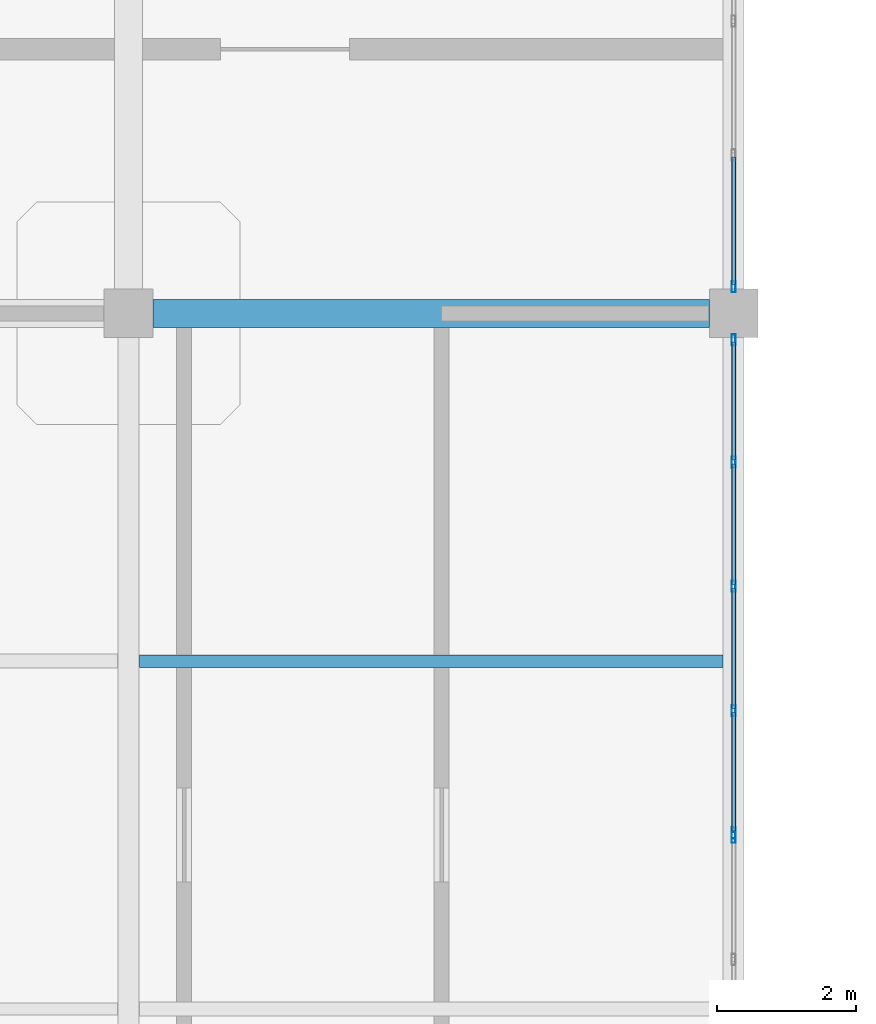
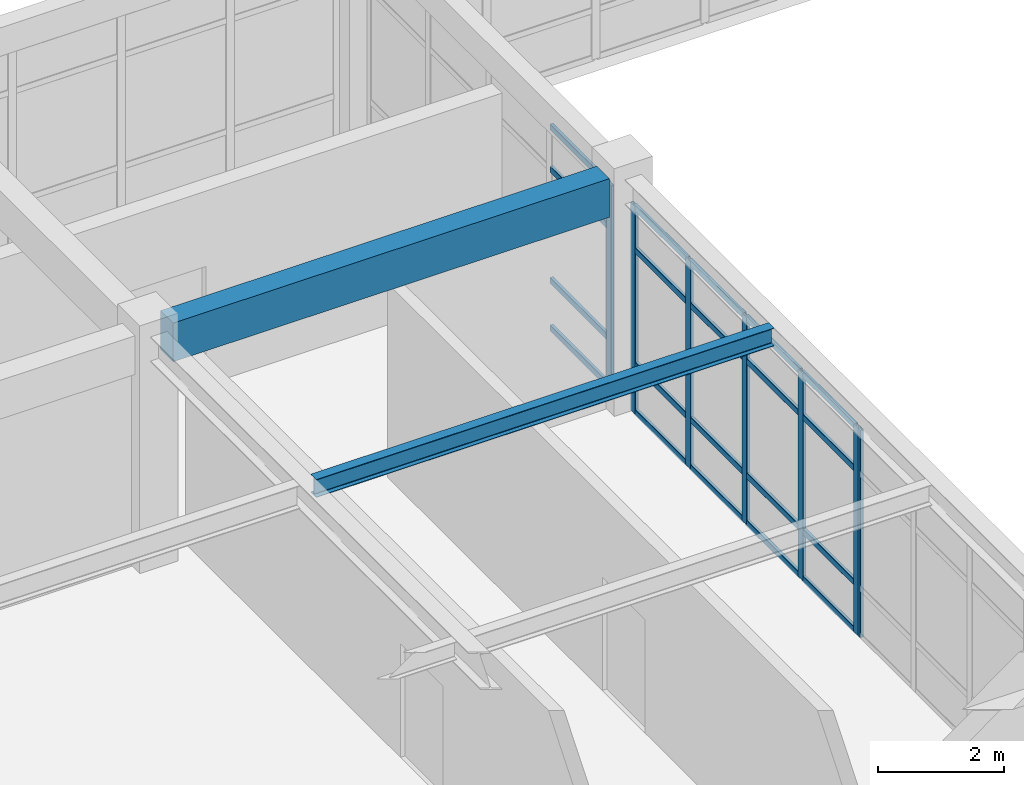
# One storey, part 31 of 76: 27 members, 2 beams, 3 elements without a shape of their own.
"""IFC4 building model written with IfcOpenShell, lengths in metres."""

from ifc_helpers import new_model, si_unit, derived_unit, direction, frame, origin, origin_2d, place, context, subcontext, project, spatial, rectangle, hollow_rectangle, i_section, extrude, material, layer, layer_set, material_profile, profile_set, type_object, element, aggregate, save


model = new_model("IFC4")

# Units and contexts
model_context = context("Model", 3, precision=1e-05, world=origin(), true_north=direction((0.0, 1.0)))
body_context = subcontext(model_context, "Body", "Model", "MODEL_VIEW")
ifc_project = project(units=[si_unit("LENGTHUNIT", "METRE"), si_unit("AREAUNIT", "SQUARE_METRE"), si_unit("VOLUMEUNIT", "CUBIC_METRE"), si_unit("PLANEANGLEUNIT", "RADIAN"), si_unit("MASSUNIT", "GRAM", prefix="KILO"), derived_unit("THERMALTRANSMITTANCEUNIT", [(si_unit("MASSUNIT", "GRAM", prefix="KILO"), 1), (si_unit("TIMEUNIT", "SECOND"), -3), (si_unit("THERMODYNAMICTEMPERATUREUNIT", "KELVIN"), -1)])], contexts=[model_context])

# Site, building, storey
site_placement = place(None, origin())
site = spatial("IfcSite", under=ifc_project, at=site_placement, CompositionType="ELEMENT")
building_placement = place(site_placement, origin())
building = spatial("IfcBuilding", under=site, at=building_placement, Name="Qinzheling Arcade Emporium", CompositionType="ELEMENT")
storey_placement = place(building_placement, frame((0.0, 0.0, 26.699951171875)))
storey = spatial("IfcBuildingStorey", under=building, at=storey_placement, Name="L06", CompositionType="ELEMENT", Elevation=26.699951171875)

# Beam
ifc_material_1 = material(Name="Structural steel Q355B", Category="steel")
ifc_material_profile_1 = material_profile(ifc_material_1, i_section(OverallWidth=0.175048828125, OverallDepth=0.35009765625, WebThickness=0.007080078125, FlangeThickness=0.010986328125, FilletRadius=0.013916015625, at=origin_2d()), Name="HN 350x175x7x11", Category="steel")
ifc_profile_set_1 = profile_set([ifc_material_profile_1], Name="Structural steel Q355B")
beam_type_1 = type_object("IfcBeamType", Name="Canopy Secondary Joist HN350 Q355B", PredefinedType="JOIST", material=ifc_profile_set_1)
beam_1_placement = place(storey_placement, frame((95.85498046875, 60.39990234375, 4.344970703125), z_axis=(1.0, 0.0, 0.0), x_axis=(0.0, 1.0, 0.0)))
element("IfcBeam", 1, at=beam_1_placement, inside=storey, type_object=beam_type_1, Name="Secondary Joist JST-L06-12-2", PredefinedType="JOIST", context=body_context, shape_type="SweptSolid", body=[
    extrude(i_section(OverallWidth=0.175048828125, OverallDepth=0.35009765625, WebThickness=0.007080078125, FlangeThickness=0.010986328125, FilletRadius=0.013916015625, at=origin_2d()), origin(), (0.0, 0.0, 1.0), 8.39013671875),
])

# Curtain wall, member
ifc_material_2 = material(Name="Anodised aluminium and solar-control double glazing", Category="aluminium")
ifc_layer = layer(ifc_material_2, 0.159912109375, Name="Anodised aluminium and solar-control double glazing", Category="aluminium")
ifc_layer_set = layer_set([ifc_layer], Name="Anodised aluminium and solar-control double glazing")
curtain_wall_type = type_object("IfcCurtainWallType", Name="Atrium Clerestory Curtain Wall", PredefinedType="NOTDEFINED", material=ifc_layer_set)
curtain_wall_1_placement = place(storey_placement, origin())
curtain_wall_1 = element("IfcCurtainWall", 2, at=curtain_wall_1_placement, inside=storey, type_object=curtain_wall_type, Name="Curtain Wall CW-L06-373", PredefinedType="NOTDEFINED")
ifc_material_3 = material(Name="Anodised aluminium 6063-T6", Category="aluminium")
ifc_material_profile_2 = material_profile(ifc_material_3, hollow_rectangle(XDim=0.06005859375, YDim=0.159912109375, WallThickness=0.00390625, InnerFilletRadius=0.00390625, OuterFilletRadius=0.008056640625, at=origin_2d()), Name="RHS 160x60x4", Category="aluminium")
ifc_profile_set_2 = profile_set([ifc_material_profile_2], Name="Anodised aluminium 6063-T6")
member_type_1 = type_object("IfcMemberType", Name="Curtain Wall Mullion RHS160x60", PredefinedType="MULLION", material=ifc_profile_set_2)
member_1_placement = place(storey_placement, frame((104.39990234375, 65.781982421875, 0.0), z_axis=(0.0, 0.0, 1.0), x_axis=(1.0, 0.0, 0.0)))
member_1 = element("IfcMember", 3, at=member_1_placement, type_object=member_type_1, Name="CW03 mullion 5", PredefinedType="MULLION", context=body_context, shape_type="SweptSolid", body=[
    extrude(hollow_rectangle(XDim=0.06005859375, YDim=0.159912109375, WallThickness=0.00390625, InnerFilletRadius=0.00390625, OuterFilletRadius=0.008056640625, at=origin_2d()), origin(), (0.0, 0.0, 1.0), 3.955078125),
])

# Curtain wall, members
curtain_wall_2_placement = place(storey_placement, origin())
curtain_wall_2 = element("IfcCurtainWall", 4, at=curtain_wall_2_placement, inside=storey, type_object=curtain_wall_type, Name="Curtain Wall CW-L06-374", PredefinedType="NOTDEFINED")
member_2_placement = place(storey_placement, frame((104.39990234375, 65.01806640625, 0.0), z_axis=(0.0, 0.0, 1.0), x_axis=(1.0, 0.0, 0.0)))
member_2 = element("IfcMember", 5, at=member_2_placement, type_object=member_type_1, Name="CW03 mullion 1", PredefinedType="MULLION", context=body_context, shape_type="SweptSolid", body=[
    extrude(hollow_rectangle(XDim=0.06005859375, YDim=0.159912109375, WallThickness=0.00390625, InnerFilletRadius=0.00390625, OuterFilletRadius=0.008056640625, at=origin_2d()), origin(), (0.0, 0.0, 1.0), 4.01708984375),
])
member_3_placement = place(storey_placement, frame((104.39990234375, 63.261474609375, 0.0), z_axis=(0.0, 0.0, 1.0), x_axis=(1.0, 0.0, 0.0)))
member_3 = element("IfcMember", 6, at=member_3_placement, type_object=member_type_1, Name="CW03 mullion 2", PredefinedType="MULLION", context=body_context, shape_type="SweptSolid", body=[
    extrude(hollow_rectangle(XDim=0.06005859375, YDim=0.159912109375, WallThickness=0.00390625, InnerFilletRadius=0.00390625, OuterFilletRadius=0.008056640625, at=origin_2d()), origin(), (0.0, 0.0, 1.0), 4.01708984375),
])
member_4_placement = place(storey_placement, frame((104.39990234375, 61.47509765625, 0.0), z_axis=(0.0, 0.0, 1.0), x_axis=(1.0, 0.0, 0.0)))
member_4 = element("IfcMember", 7, at=member_4_placement, type_object=member_type_1, Name="CW03 mullion 3", PredefinedType="MULLION", context=body_context, shape_type="SweptSolid", body=[
    extrude(hollow_rectangle(XDim=0.06005859375, YDim=0.159912109375, WallThickness=0.00390625, InnerFilletRadius=0.00390625, OuterFilletRadius=0.008056640625, at=origin_2d()), origin(), (0.0, 0.0, 1.0), 4.01708984375),
])
member_5_placement = place(storey_placement, frame((104.39990234375, 59.6884765625, 0.0), z_axis=(0.0, 0.0, 1.0), x_axis=(1.0, 0.0, 0.0)))
member_5 = element("IfcMember", 8, at=member_5_placement, type_object=member_type_1, Name="CW03 mullion 4", PredefinedType="MULLION", context=body_context, shape_type="SweptSolid", body=[
    extrude(hollow_rectangle(XDim=0.06005859375, YDim=0.159912109375, WallThickness=0.00390625, InnerFilletRadius=0.00390625, OuterFilletRadius=0.008056640625, at=origin_2d()), origin(), (0.0, 0.0, 1.0), 4.01708984375),
])
member_6_placement = place(storey_placement, frame((104.39990234375, 57.931884765625, 0.0), z_axis=(0.0, 0.0, 1.0), x_axis=(1.0, 0.0, 0.0)))
member_6 = element("IfcMember", 9, at=member_6_placement, type_object=member_type_1, Name="CW03 mullion 5", PredefinedType="MULLION", context=body_context, shape_type="SweptSolid", body=[
    extrude(hollow_rectangle(XDim=0.06005859375, YDim=0.159912109375, WallThickness=0.00390625, InnerFilletRadius=0.00390625, OuterFilletRadius=0.008056640625, at=origin_2d()), origin(), (0.0, 0.0, 1.0), 4.01708984375),
])

# Curtain wall, member
curtain_wall_3_placement = place(storey_placement, origin())
curtain_wall_3 = element("IfcCurtainWall", 10, at=curtain_wall_3_placement, inside=storey, type_object=curtain_wall_type, Name="Curtain Wall CW-L06-375", PredefinedType="NOTDEFINED")
member_7_placement = place(storey_placement, frame((104.39990234375, 57.867919921875, 0.0), z_axis=(0.0, 0.0, 1.0), x_axis=(1.0, 0.0, 0.0)))
member_7 = element("IfcMember", 11, at=member_7_placement, type_object=member_type_1, Name="CW03 mullion 1", PredefinedType="MULLION", context=body_context, shape_type="SweptSolid", body=[
    extrude(hollow_rectangle(XDim=0.06005859375, YDim=0.159912109375, WallThickness=0.00390625, InnerFilletRadius=0.00390625, OuterFilletRadius=0.008056640625, at=origin_2d()), origin(), (0.0, 0.0, 1.0), 4.01708984375),
])
aggregate(curtain_wall_3, [member_7])

# Member
ifc_material_profile_3 = material_profile(ifc_material_3, hollow_rectangle(XDim=0.06005859375, YDim=0.1201171875, WallThickness=0.00390625, InnerFilletRadius=0.00390625, OuterFilletRadius=0.008056640625, at=origin_2d()), Name="RHS 120x60x4", Category="aluminium")
ifc_profile_set_3 = profile_set([ifc_material_profile_3], Name="Anodised aluminium 6063-T6")
member_type_2 = type_object("IfcMemberType", Name="Curtain Wall Transom RHS120x60", PredefinedType="USERDEFINED", material=ifc_profile_set_3)
member_8_placement = place(storey_placement, frame((104.39990234375, 67.64599609375, 0.030029296875), z_axis=(0.0, -1.0, 0.0), x_axis=(1.0, 0.0, 0.0)))
member_8 = element("IfcMember", 12, at=member_8_placement, type_object=member_type_2, Name="CW03 transom 4.1", ObjectType="TRANSOM", PredefinedType="USERDEFINED", context=body_context, shape_type="SweptSolid", body=[
    extrude(hollow_rectangle(XDim=0.06005859375, YDim=0.1201171875, WallThickness=0.00390625, InnerFilletRadius=0.00390625, OuterFilletRadius=0.008056640625, at=origin_2d()), origin(), (0.0, 0.0, 1.0), 1.833984375),
])

member_9_placement = place(storey_placement, frame((104.39990234375, 67.64599609375, 0.949951171875), z_axis=(0.0, -1.0, 0.0), x_axis=(1.0, 0.0, 0.0)))
member_9 = element("IfcMember", 13, at=member_9_placement, type_object=member_type_2, Name="CW03 transom 4.2", ObjectType="TRANSOM", PredefinedType="USERDEFINED", context=body_context, shape_type="SweptSolid", body=[
    extrude(hollow_rectangle(XDim=0.06005859375, YDim=0.1201171875, WallThickness=0.00390625, InnerFilletRadius=0.00390625, OuterFilletRadius=0.008056640625, at=origin_2d()), origin(), (0.0, 0.0, 1.0), 1.833984375),
])

member_10_placement = place(storey_placement, frame((104.39990234375, 67.64599609375, 3.10498046875), z_axis=(0.0, -1.0, 0.0), x_axis=(1.0, 0.0, 0.0)))
member_10 = element("IfcMember", 14, at=member_10_placement, type_object=member_type_2, Name="CW03 transom 4.3", ObjectType="TRANSOM", PredefinedType="USERDEFINED", context=body_context, shape_type="SweptSolid", body=[
    extrude(hollow_rectangle(XDim=0.06005859375, YDim=0.1201171875, WallThickness=0.00390625, InnerFilletRadius=0.00390625, OuterFilletRadius=0.008056640625, at=origin_2d()), origin(), (0.0, 0.0, 1.0), 1.833984375),
])

member_11_placement = place(storey_placement, frame((104.39990234375, 67.64599609375, 3.925048828125), z_axis=(0.0, -1.0, 0.0), x_axis=(1.0, 0.0, 0.0)))
member_11 = element("IfcMember", 15, at=member_11_placement, type_object=member_type_2, Name="CW03 transom 4.4", ObjectType="TRANSOM", PredefinedType="USERDEFINED", context=body_context, shape_type="SweptSolid", body=[
    extrude(hollow_rectangle(XDim=0.06005859375, YDim=0.1201171875, WallThickness=0.00390625, InnerFilletRadius=0.00390625, OuterFilletRadius=0.008056640625, at=origin_2d()), origin(), (0.0, 0.0, 1.0), 1.833984375),
])

aggregate(curtain_wall_1, [member_1, member_8, member_9, member_10, member_11])

member_12_placement = place(storey_placement, frame((104.39990234375, 64.988037109375, 0.030029296875), z_axis=(0.0, -1.0, 0.0), x_axis=(1.0, 0.0, 0.0)))
member_12 = element("IfcMember", 16, at=member_12_placement, type_object=member_type_2, Name="CW03 transom 1.1", ObjectType="TRANSOM", PredefinedType="USERDEFINED", context=body_context, shape_type="SweptSolid", body=[
    extrude(hollow_rectangle(XDim=0.06005859375, YDim=0.1201171875, WallThickness=0.00390625, InnerFilletRadius=0.00390625, OuterFilletRadius=0.008056640625, at=origin_2d()), origin(), (0.0, 0.0, 1.0), 1.696533203125),
])

member_13_placement = place(storey_placement, frame((104.39990234375, 64.988037109375, 0.949951171875), z_axis=(0.0, -1.0, 0.0), x_axis=(1.0, 0.0, 0.0)))
member_13 = element("IfcMember", 17, at=member_13_placement, type_object=member_type_2, Name="CW03 transom 1.2", ObjectType="TRANSOM", PredefinedType="USERDEFINED", context=body_context, shape_type="SweptSolid", body=[
    extrude(hollow_rectangle(XDim=0.06005859375, YDim=0.1201171875, WallThickness=0.00390625, InnerFilletRadius=0.00390625, OuterFilletRadius=0.008056640625, at=origin_2d()), origin(), (0.0, 0.0, 1.0), 1.696533203125),
])

member_14_placement = place(storey_placement, frame((104.39990234375, 64.988037109375, 3.1669921875), z_axis=(0.0, -1.0, 0.0), x_axis=(1.0, 0.0, 0.0)))
member_14 = element("IfcMember", 18, at=member_14_placement, type_object=member_type_2, Name="CW03 transom 1.3", ObjectType="TRANSOM", PredefinedType="USERDEFINED", context=body_context, shape_type="SweptSolid", body=[
    extrude(hollow_rectangle(XDim=0.06005859375, YDim=0.1201171875, WallThickness=0.00390625, InnerFilletRadius=0.00390625, OuterFilletRadius=0.008056640625, at=origin_2d()), origin(), (0.0, 0.0, 1.0), 1.696533203125),
])

member_15_placement = place(storey_placement, frame((104.39990234375, 64.988037109375, 3.987060546875), z_axis=(0.0, -1.0, 0.0), x_axis=(1.0, 0.0, 0.0)))
member_15 = element("IfcMember", 19, at=member_15_placement, type_object=member_type_2, Name="CW03 transom 1.4", ObjectType="TRANSOM", PredefinedType="USERDEFINED", context=body_context, shape_type="SweptSolid", body=[
    extrude(hollow_rectangle(XDim=0.06005859375, YDim=0.1201171875, WallThickness=0.00390625, InnerFilletRadius=0.00390625, OuterFilletRadius=0.008056640625, at=origin_2d()), origin(), (0.0, 0.0, 1.0), 1.696533203125),
])

member_16_placement = place(storey_placement, frame((104.39990234375, 63.2314453125, 0.030029296875), z_axis=(0.0, -1.0, 0.0), x_axis=(1.0, 0.0, 0.0)))
member_16 = element("IfcMember", 20, at=member_16_placement, type_object=member_type_2, Name="CW03 transom 2.1", ObjectType="TRANSOM", PredefinedType="USERDEFINED", context=body_context, shape_type="SweptSolid", body=[
    extrude(hollow_rectangle(XDim=0.06005859375, YDim=0.1201171875, WallThickness=0.00390625, InnerFilletRadius=0.00390625, OuterFilletRadius=0.008056640625, at=origin_2d()), origin(), (0.0, 0.0, 1.0), 1.7265625),
])

member_17_placement = place(storey_placement, frame((104.39990234375, 63.2314453125, 0.949951171875), z_axis=(0.0, -1.0, 0.0), x_axis=(1.0, 0.0, 0.0)))
member_17 = element("IfcMember", 21, at=member_17_placement, type_object=member_type_2, Name="CW03 transom 2.2", ObjectType="TRANSOM", PredefinedType="USERDEFINED", context=body_context, shape_type="SweptSolid", body=[
    extrude(hollow_rectangle(XDim=0.06005859375, YDim=0.1201171875, WallThickness=0.00390625, InnerFilletRadius=0.00390625, OuterFilletRadius=0.008056640625, at=origin_2d()), origin(), (0.0, 0.0, 1.0), 1.7265625),
])

member_18_placement = place(storey_placement, frame((104.39990234375, 63.2314453125, 3.1669921875), z_axis=(0.0, -1.0, 0.0), x_axis=(1.0, 0.0, 0.0)))
member_18 = element("IfcMember", 22, at=member_18_placement, type_object=member_type_2, Name="CW03 transom 2.3", ObjectType="TRANSOM", PredefinedType="USERDEFINED", context=body_context, shape_type="SweptSolid", body=[
    extrude(hollow_rectangle(XDim=0.06005859375, YDim=0.1201171875, WallThickness=0.00390625, InnerFilletRadius=0.00390625, OuterFilletRadius=0.008056640625, at=origin_2d()), origin(), (0.0, 0.0, 1.0), 1.7265625),
])

member_19_placement = place(storey_placement, frame((104.39990234375, 63.2314453125, 3.987060546875), z_axis=(0.0, -1.0, 0.0), x_axis=(1.0, 0.0, 0.0)))
member_19 = element("IfcMember", 23, at=member_19_placement, type_object=member_type_2, Name="CW03 transom 2.4", ObjectType="TRANSOM", PredefinedType="USERDEFINED", context=body_context, shape_type="SweptSolid", body=[
    extrude(hollow_rectangle(XDim=0.06005859375, YDim=0.1201171875, WallThickness=0.00390625, InnerFilletRadius=0.00390625, OuterFilletRadius=0.008056640625, at=origin_2d()), origin(), (0.0, 0.0, 1.0), 1.7265625),
])

member_20_placement = place(storey_placement, frame((104.39990234375, 61.445068359375, 0.030029296875), z_axis=(0.0, -1.0, 0.0), x_axis=(1.0, 0.0, 0.0)))
member_20 = element("IfcMember", 24, at=member_20_placement, type_object=member_type_2, Name="CW03 transom 3.1", ObjectType="TRANSOM", PredefinedType="USERDEFINED", context=body_context, shape_type="SweptSolid", body=[
    extrude(hollow_rectangle(XDim=0.06005859375, YDim=0.1201171875, WallThickness=0.00390625, InnerFilletRadius=0.00390625, OuterFilletRadius=0.008056640625, at=origin_2d()), origin(), (0.0, 0.0, 1.0), 1.7265625),
])

member_21_placement = place(storey_placement, frame((104.39990234375, 61.445068359375, 0.949951171875), z_axis=(0.0, -1.0, 0.0), x_axis=(1.0, 0.0, 0.0)))
member_21 = element("IfcMember", 25, at=member_21_placement, type_object=member_type_2, Name="CW03 transom 3.2", ObjectType="TRANSOM", PredefinedType="USERDEFINED", context=body_context, shape_type="SweptSolid", body=[
    extrude(hollow_rectangle(XDim=0.06005859375, YDim=0.1201171875, WallThickness=0.00390625, InnerFilletRadius=0.00390625, OuterFilletRadius=0.008056640625, at=origin_2d()), origin(), (0.0, 0.0, 1.0), 1.7265625),
])

member_22_placement = place(storey_placement, frame((104.39990234375, 61.445068359375, 3.1669921875), z_axis=(0.0, -1.0, 0.0), x_axis=(1.0, 0.0, 0.0)))
member_22 = element("IfcMember", 26, at=member_22_placement, type_object=member_type_2, Name="CW03 transom 3.3", ObjectType="TRANSOM", PredefinedType="USERDEFINED", context=body_context, shape_type="SweptSolid", body=[
    extrude(hollow_rectangle(XDim=0.06005859375, YDim=0.1201171875, WallThickness=0.00390625, InnerFilletRadius=0.00390625, OuterFilletRadius=0.008056640625, at=origin_2d()), origin(), (0.0, 0.0, 1.0), 1.7265625),
])

member_23_placement = place(storey_placement, frame((104.39990234375, 61.445068359375, 3.987060546875), z_axis=(0.0, -1.0, 0.0), x_axis=(1.0, 0.0, 0.0)))
member_23 = element("IfcMember", 27, at=member_23_placement, type_object=member_type_2, Name="CW03 transom 3.4", ObjectType="TRANSOM", PredefinedType="USERDEFINED", context=body_context, shape_type="SweptSolid", body=[
    extrude(hollow_rectangle(XDim=0.06005859375, YDim=0.1201171875, WallThickness=0.00390625, InnerFilletRadius=0.00390625, OuterFilletRadius=0.008056640625, at=origin_2d()), origin(), (0.0, 0.0, 1.0), 1.7265625),
])

member_24_placement = place(storey_placement, frame((104.39990234375, 59.658447265625, 0.030029296875), z_axis=(0.0, -1.0, 0.0), x_axis=(1.0, 0.0, 0.0)))
member_24 = element("IfcMember", 28, at=member_24_placement, type_object=member_type_2, Name="CW03 transom 4.1", ObjectType="TRANSOM", PredefinedType="USERDEFINED", context=body_context, shape_type="SweptSolid", body=[
    extrude(hollow_rectangle(XDim=0.06005859375, YDim=0.1201171875, WallThickness=0.00390625, InnerFilletRadius=0.00390625, OuterFilletRadius=0.008056640625, at=origin_2d()), origin(), (0.0, 0.0, 1.0), 1.696533203125),
])

member_25_placement = place(storey_placement, frame((104.39990234375, 59.658447265625, 0.949951171875), z_axis=(0.0, -1.0, 0.0), x_axis=(1.0, 0.0, 0.0)))
member_25 = element("IfcMember", 29, at=member_25_placement, type_object=member_type_2, Name="CW03 transom 4.2", ObjectType="TRANSOM", PredefinedType="USERDEFINED", context=body_context, shape_type="SweptSolid", body=[
    extrude(hollow_rectangle(XDim=0.06005859375, YDim=0.1201171875, WallThickness=0.00390625, InnerFilletRadius=0.00390625, OuterFilletRadius=0.008056640625, at=origin_2d()), origin(), (0.0, 0.0, 1.0), 1.696533203125),
])

member_26_placement = place(storey_placement, frame((104.39990234375, 59.658447265625, 3.1669921875), z_axis=(0.0, -1.0, 0.0), x_axis=(1.0, 0.0, 0.0)))
member_26 = element("IfcMember", 30, at=member_26_placement, type_object=member_type_2, Name="CW03 transom 4.3", ObjectType="TRANSOM", PredefinedType="USERDEFINED", context=body_context, shape_type="SweptSolid", body=[
    extrude(hollow_rectangle(XDim=0.06005859375, YDim=0.1201171875, WallThickness=0.00390625, InnerFilletRadius=0.00390625, OuterFilletRadius=0.008056640625, at=origin_2d()), origin(), (0.0, 0.0, 1.0), 1.696533203125),
])

member_27_placement = place(storey_placement, frame((104.39990234375, 59.658447265625, 3.987060546875), z_axis=(0.0, -1.0, 0.0), x_axis=(1.0, 0.0, 0.0)))
member_27 = element("IfcMember", 31, at=member_27_placement, type_object=member_type_2, Name="CW03 transom 4.4", ObjectType="TRANSOM", PredefinedType="USERDEFINED", context=body_context, shape_type="SweptSolid", body=[
    extrude(hollow_rectangle(XDim=0.06005859375, YDim=0.1201171875, WallThickness=0.00390625, InnerFilletRadius=0.00390625, OuterFilletRadius=0.008056640625, at=origin_2d()), origin(), (0.0, 0.0, 1.0), 1.696533203125),
])

aggregate(curtain_wall_2, [member_2, member_3, member_4, member_5, member_6, member_12, member_13, member_14, member_15, member_16, member_17, member_18, member_19, member_20, member_21, member_22, member_23, member_24, member_25, member_26, member_27])

# Beam
ifc_material_4 = material(Name="Concrete C40", Category="concrete")
ifc_material_profile_4 = material_profile(ifc_material_4, rectangle(XDim=0.39990234375, YDim=0.75, at=origin_2d()), Name="RC 400x750", Category="concrete")
ifc_profile_set_4 = profile_set([ifc_material_profile_4], Name="Concrete C40")
beam_type_2 = type_object("IfcBeamType", Name="RC Interior Tie Beam 400x750 C40", PredefinedType="BEAM", material=ifc_profile_set_4)
beam_2_placement = place(storey_placement, frame((96.050048828125, 65.39990234375, 4.14501953125), z_axis=(1.0, 0.0, 0.0), x_axis=(0.0, 1.0, 0.0)))
element("IfcBeam", 32, at=beam_2_placement, inside=storey, type_object=beam_type_2, Name="Beam BM-L06-X-H-12", PredefinedType="BEAM", context=body_context, shape_type="SweptSolid", body=[
    extrude(rectangle(XDim=0.39990234375, YDim=0.75, at=origin_2d()), origin(), (0.0, 0.0, 1.0), 8.0),
])

save(model, "model.ifc")
